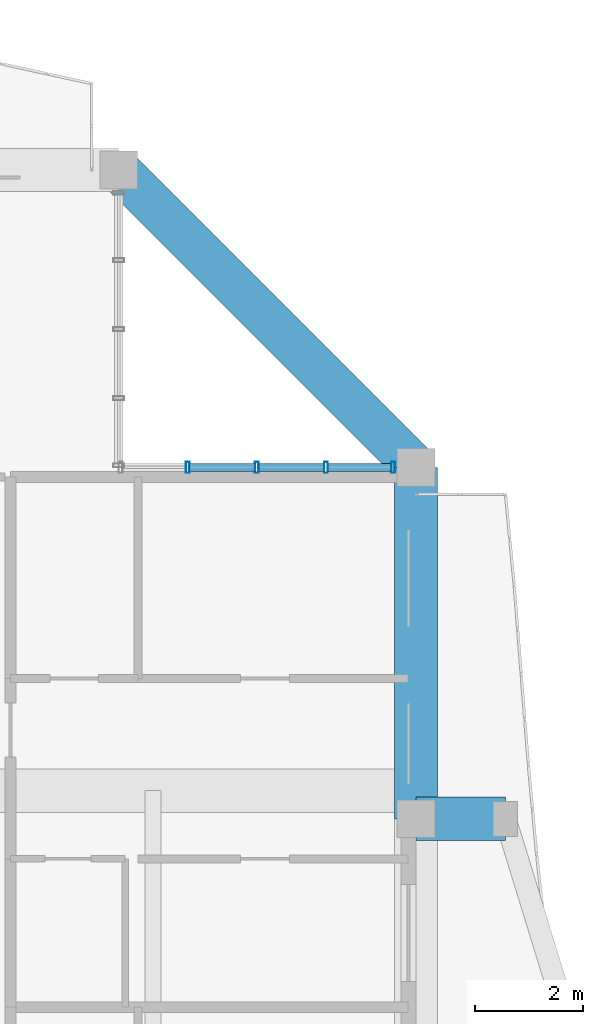
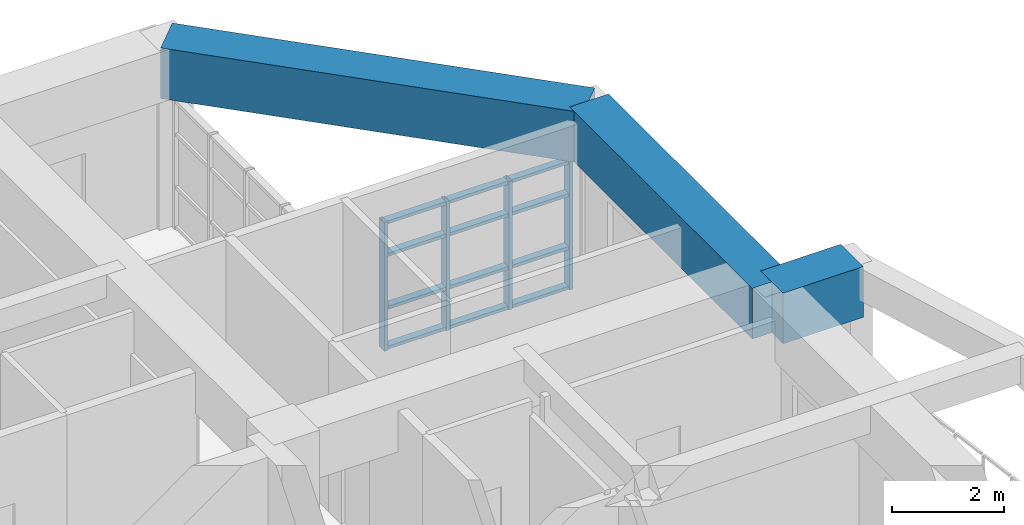
# One storey, part 13 of 27: 16 members, 3 beams, 1 element without a shape of its own.
"""IFC4 building model written with IfcOpenShell, lengths in metres."""

from ifc_helpers import new_model, si_unit, direction, frame, origin, origin_2d, place, context, subcontext, project, spatial, rectangle, hollow_rectangle, extrude, source, transform, mapped, material, layer, layer_set, material_profile, profile_set, type_object, element, aggregate, save


model = new_model("IFC4")

# Units and contexts
model_context = context("Model", 3, precision=1e-05, world=origin(), true_north=direction((0.0, 1.0)))
body_context = subcontext(model_context, "Body", "Model", "MODEL_VIEW")
ifc_project = project(units=[si_unit("LENGTHUNIT", "METRE"), si_unit("AREAUNIT", "SQUARE_METRE"), si_unit("VOLUMEUNIT", "CUBIC_METRE"), si_unit("PLANEANGLEUNIT", "RADIAN"), si_unit("MASSUNIT", "GRAM", prefix="KILO")], contexts=[model_context])

# Site, building, storey
site_placement = place(None, origin())
site = spatial("IfcSite", under=ifc_project, at=site_placement, CompositionType="ELEMENT")
building_placement = place(site_placement, origin())
building = spatial("IfcBuilding", under=site, at=building_placement, Name="Saelheon Loggia Tower", CompositionType="ELEMENT")
storey_placement = place(building_placement, frame((0.0, 0.0, 226.199951171875)))
storey = spatial("IfcBuildingStorey", under=building, at=storey_placement, Name="L70", CompositionType="ELEMENT", Elevation=226.199951171875)

# Beams
ifc_material_1 = material(Name="Concrete C50/60", Category="concrete")
ifc_material_profile_1 = material_profile(ifc_material_1, rectangle(XDim=0.800048828125, YDim=1.10009765625, at=origin_2d()), Name="RC-800x1100")
ifc_profile_set_1 = profile_set([ifc_material_profile_1], Name="Concrete C50/60")
beam_type = type_object("IfcBeamType", Name="Beam_PerimSetback_RC800x1100", PredefinedType="BEAM", material=ifc_profile_set_1)
shared_shape_1 = source(origin(), body_context, "Body", "SweptSolid", [
    extrude(rectangle(XDim=0.800048828125, YDim=1.10009765625, at=origin_2d()), origin(), (0.0, 0.0, 1.0), 1.64990234375),
])
beam_1_placement = place(storey_placement, frame((54.75, 36.0, 3.35009765625), z_axis=(1.0, 0.0, 0.0), x_axis=(0.0, 1.0, 0.0)))
element("IfcBeam", 1, at=beam_1_placement, inside=storey, type_object=beam_type, Name="L70 Loggia Frame Tie Beam LP-E2", PredefinedType="BEAM", context=body_context, shape_type="MappedRepresentation", body=[
    mapped(shared_shape_1, transform((0.0, 0.0, 0.0), scale=1.0)),
])
shared_shape_2 = source(origin(), body_context, "Body", "SweptSolid", [
    extrude(rectangle(XDim=0.800048828125, YDim=1.10009765625, at=origin_2d()), origin(), (0.0, 0.0, 1.0), 6.5),
])
beam_2_placement = place(storey_placement, frame((54.75, 36.0, 3.35009765625), z_axis=(0.0, 1.0, 0.0), x_axis=(-1.0, 0.0, 0.0)))
element("IfcBeam", 2, at=beam_2_placement, inside=storey, type_object=beam_type, Name="L70 Perimeter Frame Girder 07", PredefinedType="BEAM", context=body_context, shape_type="MappedRepresentation", body=[
    mapped(shared_shape_2, transform((0.0, 0.0, 0.0), scale=1.0)),
])
shared_shape_3 = source(origin(), body_context, "Body", "SweptSolid", [
    extrude(rectangle(XDim=0.800048828125, YDim=1.10009765625, at=origin_2d()), origin(), (0.0, 0.0, 1.0), 7.778076171875),
])
beam_3_placement = place(storey_placement, frame((54.75, 42.5, 3.35009765625), z_axis=(-0.707106781187, 0.707106781187, 0.0), x_axis=(-0.707106781187, -0.707106781187, 0.0)))
element("IfcBeam", 3, at=beam_3_placement, inside=storey, type_object=beam_type, Name="L70 Perimeter Frame Girder 08", PredefinedType="BEAM", context=body_context, shape_type="MappedRepresentation", body=[
    mapped(shared_shape_3, transform((0.0, 0.0, 0.0), scale=1.0)),
])

# Curtain wall, members
ifc_material_2 = material(Name="High-Wind Aluminium and Triple Laminated Glass", Category="aluminium")
ifc_layer = layer(ifc_material_2, 0.179931640625)
ifc_layer_set = layer_set([ifc_layer], Name="High-Wind Aluminium and Triple Laminated Glass")
curtain_wall_type = type_object("IfcCurtainWallType", Name="CW_TowerLoggiaHigh", PredefinedType="NOTDEFINED", material=ifc_layer_set)
curtain_wall_placement = place(storey_placement, origin())
curtain_wall = element("IfcCurtainWall", 4, at=curtain_wall_placement, inside=storey, type_object=curtain_wall_type, Name="L70 Corner Notch Glazing NE2", PredefinedType="NOTDEFINED")
ifc_material_3 = material(Name="Anodised Aluminium 6063-T6", Category="aluminium")
ifc_material_profile_2 = material_profile(ifc_material_3, hollow_rectangle(XDim=0.070068359375, YDim=0.14990234375, WallThickness=0.0048828125, at=origin_2d()), Name="RHS-150x70x5")
ifc_profile_set_2 = profile_set([ifc_material_profile_2], Name="Anodised Aluminium 6063-T6")
member_type_1 = type_object("IfcMemberType", Name="CW_TowerLoggiaHigh_Transom", PredefinedType="USERDEFINED", material=ifc_profile_set_2)
shared_shape_4 = source(origin(), body_context, "Body", "SweptSolid", [
    extrude(hollow_rectangle(XDim=0.070068359375, YDim=0.14990234375, WallThickness=0.0048828125, at=origin_2d()), origin(), (0.0, 0.0, 1.0), 1.172607421875),
])
member_1_placement = place(storey_placement, frame((53.117431640625, 42.5, 0.03515625), z_axis=(1.0, 0.0, 0.0), x_axis=(0.0, 0.0, 1.0)))
member_1 = element("IfcMember", 5, at=member_1_placement, type_object=member_type_1, Name="CW4 transom 4.1", ObjectType="TRANSOM", PredefinedType="USERDEFINED", context=body_context, shape_type="MappedRepresentation", body=[
    mapped(shared_shape_4, transform((0.0, 0.0, 0.0), scale=1.0)),
])
member_2_placement = place(storey_placement, frame((53.117431640625, 42.5, 0.900146484375), z_axis=(1.0, 0.0, 0.0), x_axis=(0.0, 0.0, 1.0)))
member_2 = element("IfcMember", 6, at=member_2_placement, type_object=member_type_1, Name="CW4 transom 4.2", ObjectType="TRANSOM", PredefinedType="USERDEFINED", context=body_context, shape_type="MappedRepresentation", body=[
    mapped(shared_shape_4, transform((0.0, 0.0, 0.0), scale=1.0)),
])
member_3_placement = place(storey_placement, frame((53.117431640625, 42.5, 2.050048828125), z_axis=(1.0, 0.0, 0.0), x_axis=(0.0, 0.0, 1.0)))
member_3 = element("IfcMember", 7, at=member_3_placement, type_object=member_type_1, Name="CW4 transom 4.3", ObjectType="TRANSOM", PredefinedType="USERDEFINED", context=body_context, shape_type="MappedRepresentation", body=[
    mapped(shared_shape_4, transform((0.0, 0.0, 0.0), scale=1.0)),
])
member_4_placement = place(storey_placement, frame((53.117431640625, 42.5, 2.755126953125), z_axis=(1.0, 0.0, 0.0), x_axis=(0.0, 0.0, 1.0)))
member_4 = element("IfcMember", 8, at=member_4_placement, type_object=member_type_1, Name="CW4 transom 4.4", ObjectType="TRANSOM", PredefinedType="USERDEFINED", context=body_context, shape_type="MappedRepresentation", body=[
    mapped(shared_shape_4, transform((0.0, 0.0, 0.0), scale=1.0)),
])
shared_shape_5 = source(origin(), body_context, "Body", "SweptSolid", [
    extrude(hollow_rectangle(XDim=0.070068359375, YDim=0.14990234375, WallThickness=0.0048828125, at=origin_2d()), origin(), (0.0, 0.0, 1.0), 1.20751953125),
])
member_5_placement = place(storey_placement, frame((50.5625, 42.5, 0.03515625), z_axis=(1.0, 0.0, 0.0), x_axis=(0.0, 0.0, 1.0)))
member_5 = element("IfcMember", 9, at=member_5_placement, type_object=member_type_1, Name="CW4 transom 2.1", ObjectType="TRANSOM", PredefinedType="USERDEFINED", context=body_context, shape_type="MappedRepresentation", body=[
    mapped(shared_shape_5, transform((0.0, 0.0, 0.0), scale=1.0)),
])
member_6_placement = place(storey_placement, frame((50.5625, 42.5, 0.900146484375), z_axis=(1.0, 0.0, 0.0), x_axis=(0.0, 0.0, 1.0)))
member_6 = element("IfcMember", 10, at=member_6_placement, type_object=member_type_1, Name="CW4 transom 2.2", ObjectType="TRANSOM", PredefinedType="USERDEFINED", context=body_context, shape_type="MappedRepresentation", body=[
    mapped(shared_shape_5, transform((0.0, 0.0, 0.0), scale=1.0)),
])
member_7_placement = place(storey_placement, frame((50.5625, 42.5, 2.050048828125), z_axis=(1.0, 0.0, 0.0), x_axis=(0.0, 0.0, 1.0)))
member_7 = element("IfcMember", 11, at=member_7_placement, type_object=member_type_1, Name="CW4 transom 2.3", ObjectType="TRANSOM", PredefinedType="USERDEFINED", context=body_context, shape_type="MappedRepresentation", body=[
    mapped(shared_shape_5, transform((0.0, 0.0, 0.0), scale=1.0)),
])
member_8_placement = place(storey_placement, frame((50.5625, 42.5, 2.755126953125), z_axis=(1.0, 0.0, 0.0), x_axis=(0.0, 0.0, 1.0)))
member_8 = element("IfcMember", 12, at=member_8_placement, type_object=member_type_1, Name="CW4 transom 2.4", ObjectType="TRANSOM", PredefinedType="USERDEFINED", context=body_context, shape_type="MappedRepresentation", body=[
    mapped(shared_shape_5, transform((0.0, 0.0, 0.0), scale=1.0)),
])
member_9_placement = place(storey_placement, frame((51.840087890625, 42.5, 0.03515625), z_axis=(1.0, 0.0, 0.0), x_axis=(0.0, 0.0, 1.0)))
member_9 = element("IfcMember", 13, at=member_9_placement, type_object=member_type_1, Name="CW4 transom 3.1", ObjectType="TRANSOM", PredefinedType="USERDEFINED", context=body_context, shape_type="MappedRepresentation", body=[
    mapped(shared_shape_5, transform((0.0, 0.0, 0.0), scale=1.0)),
])
member_10_placement = place(storey_placement, frame((51.840087890625, 42.5, 0.900146484375), z_axis=(1.0, 0.0, 0.0), x_axis=(0.0, 0.0, 1.0)))
member_10 = element("IfcMember", 14, at=member_10_placement, type_object=member_type_1, Name="CW4 transom 3.2", ObjectType="TRANSOM", PredefinedType="USERDEFINED", context=body_context, shape_type="MappedRepresentation", body=[
    mapped(shared_shape_5, transform((0.0, 0.0, 0.0), scale=1.0)),
])
member_11_placement = place(storey_placement, frame((51.840087890625, 42.5, 2.050048828125), z_axis=(1.0, 0.0, 0.0), x_axis=(0.0, 0.0, 1.0)))
member_11 = element("IfcMember", 15, at=member_11_placement, type_object=member_type_1, Name="CW4 transom 3.3", ObjectType="TRANSOM", PredefinedType="USERDEFINED", context=body_context, shape_type="MappedRepresentation", body=[
    mapped(shared_shape_5, transform((0.0, 0.0, 0.0), scale=1.0)),
])
member_12_placement = place(storey_placement, frame((51.840087890625, 42.5, 2.755126953125), z_axis=(1.0, 0.0, 0.0), x_axis=(0.0, 0.0, 1.0)))
member_12 = element("IfcMember", 16, at=member_12_placement, type_object=member_type_1, Name="CW4 transom 3.4", ObjectType="TRANSOM", PredefinedType="USERDEFINED", context=body_context, shape_type="MappedRepresentation", body=[
    mapped(shared_shape_5, transform((0.0, 0.0, 0.0), scale=1.0)),
])
ifc_material_profile_3 = material_profile(ifc_material_3, hollow_rectangle(XDim=0.070068359375, YDim=0.199951171875, WallThickness=0.0048828125, at=origin_2d()), Name="RHS-200x70x5")
ifc_profile_set_3 = profile_set([ifc_material_profile_3], Name="Anodised Aluminium 6063-T6")
member_type_2 = type_object("IfcMemberType", Name="CW_TowerLoggiaHigh_Mullion", PredefinedType="MULLION", material=ifc_profile_set_3)
shared_shape_6 = source(origin(), body_context, "Body", "SweptSolid", [
    extrude(hollow_rectangle(XDim=0.070068359375, YDim=0.199951171875, WallThickness=0.0048828125, at=origin_2d()), origin(), (0.0, 0.0, 1.0), 2.7900390625),
])
member_13_placement = place(storey_placement, frame((50.527587890625, 42.5, 0.0), z_axis=(0.0, 0.0, 1.0), x_axis=(1.0, 0.0, 0.0)))
member_13 = element("IfcMember", 17, at=member_13_placement, type_object=member_type_2, Name="CW4 mullion 2", PredefinedType="MULLION", context=body_context, shape_type="MappedRepresentation", body=[
    mapped(shared_shape_6, transform((0.0, 0.0, 0.0), scale=1.0)),
])
member_14_placement = place(storey_placement, frame((51.804931640625, 42.5, 0.0), z_axis=(0.0, 0.0, 1.0), x_axis=(1.0, 0.0, 0.0)))
member_14 = element("IfcMember", 18, at=member_14_placement, type_object=member_type_2, Name="CW4 mullion 3", PredefinedType="MULLION", context=body_context, shape_type="MappedRepresentation", body=[
    mapped(shared_shape_6, transform((0.0, 0.0, 0.0), scale=1.0)),
])
member_15_placement = place(storey_placement, frame((53.08251953125, 42.5, 0.0), z_axis=(0.0, 0.0, 1.0), x_axis=(1.0, 0.0, 0.0)))
member_15 = element("IfcMember", 19, at=member_15_placement, type_object=member_type_2, Name="CW4 mullion 4", PredefinedType="MULLION", context=body_context, shape_type="MappedRepresentation", body=[
    mapped(shared_shape_6, transform((0.0, 0.0, 0.0), scale=1.0)),
])
member_16_placement = place(storey_placement, frame((54.324951171875, 42.5, 0.0), z_axis=(0.0, 0.0, 1.0), x_axis=(1.0, 0.0, 0.0)))
member_16 = element("IfcMember", 20, at=member_16_placement, type_object=member_type_2, Name="CW4 mullion 5", PredefinedType="MULLION", context=body_context, shape_type="MappedRepresentation", body=[
    mapped(shared_shape_6, transform((0.0, 0.0, 0.0), scale=1.0)),
])
aggregate(curtain_wall, [member_13, member_14, member_15, member_16, member_5, member_6, member_7, member_8, member_9, member_10, member_11, member_12, member_1, member_2, member_3, member_4])

save(model, "model.ifc")
